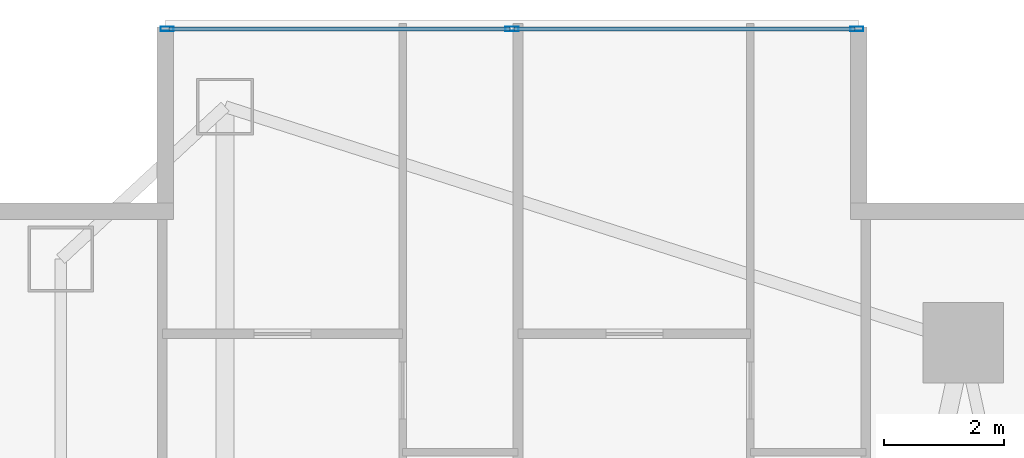
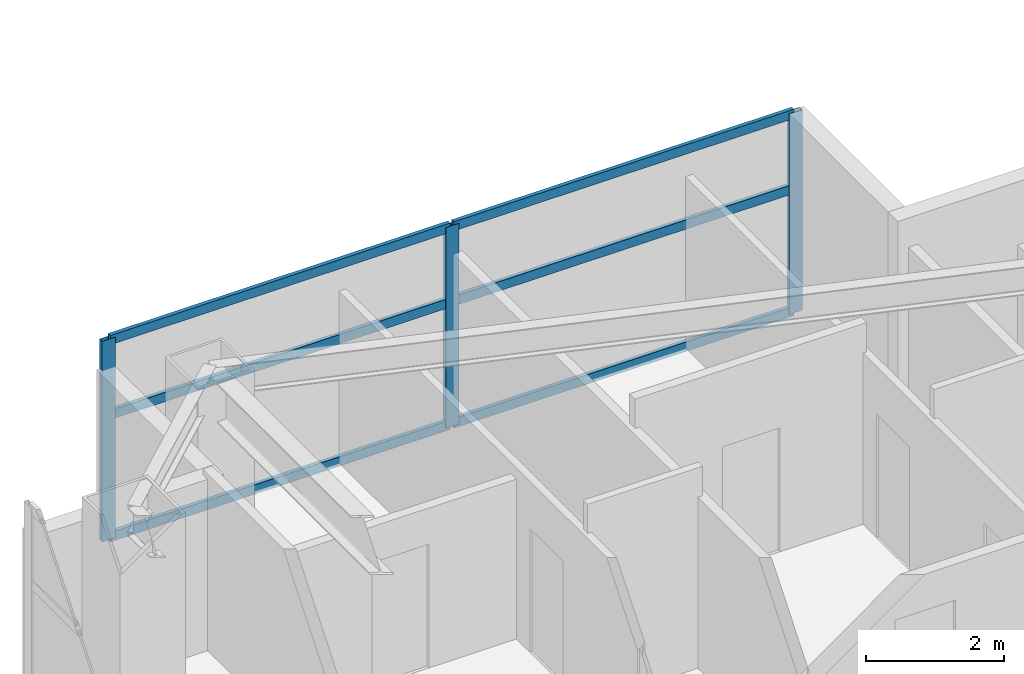
# One storey, part 19 of 29: 9 members, 1 element without a shape of its own.
"""IFC4 building model written with IfcOpenShell, lengths in metres."""

from ifc_helpers import new_model, si_unit, direction, frame, origin, origin_2d, place, context, subcontext, project, spatial, hollow_rectangle, extrude, material, layer, layer_set, material_profile, profile_set, type_object, element, aggregate, save


model = new_model("IFC4")

# Units and contexts
model_context = context("Model", 3, precision=1e-05, world=origin(), true_north=direction((0.0, 1.0)))
body_context = subcontext(model_context, "Body", "Model", "MODEL_VIEW")
ifc_project = project(units=[si_unit("LENGTHUNIT", "METRE"), si_unit("AREAUNIT", "SQUARE_METRE"), si_unit("VOLUMEUNIT", "CUBIC_METRE"), si_unit("PLANEANGLEUNIT", "RADIAN"), si_unit("MASSUNIT", "GRAM", prefix="KILO")], contexts=[model_context])

# Site, building, storey
site_placement = place(None, origin())
site = spatial("IfcSite", under=ifc_project, at=site_placement, CompositionType="ELEMENT")
building_placement = place(site_placement, origin())
building = spatial("IfcBuilding", under=site, at=building_placement, Name="Calvorn Quay Hotel", CompositionType="ELEMENT")
storey_placement = place(building_placement, frame((0.0, 0.0, 62.199951171875)))
storey = spatial("IfcBuildingStorey", under=building, at=storey_placement, Name="L14", CompositionType="ELEMENT", Elevation=62.199951171875)

# Curtain wall, members
ifc_material_1 = material(Name="Pale Anodised Aluminium and Low-E Glass", Category="aluminium")
ifc_layer = layer(ifc_material_1, 0.219970703125)
ifc_layer_set = layer_set([ifc_layer], Name="CW-SYS-Z1")
curtain_wall_type = type_object("IfcCurtainWallType", Name="CW-SYS-Z1", PredefinedType="NOTDEFINED", material=ifc_layer_set)
curtain_wall_placement = place(storey_placement, origin())
curtain_wall = element("IfcCurtainWall", 1, at=curtain_wall_placement, inside=storey, type_object=curtain_wall_type, Name="Inner Court Curtain Wall L14-N1", PredefinedType="NOTDEFINED")
ifc_material_2 = material(Name="Pale Anodised Aluminium 6063-T6", Category="aluminium")
ifc_material_profile_1 = material_profile(ifc_material_2, hollow_rectangle(XDim=0.074951171875, YDim=0.219970703125, WallThickness=0.00439453125, at=origin_2d()), Name="ALU-M220x75x4.5")
ifc_profile_set_1 = profile_set([ifc_material_profile_1], Name="Pale Anodised Aluminium 6063-T6")
member_type_1 = type_object("IfcMemberType", Name="CW-SYS-Z1-MUL", PredefinedType="MULLION", material=ifc_profile_set_1)
member_1_placement = place(storey_placement, frame((14.77001953125, 50.85009765625, 0.0), z_axis=(0.0, 0.0, 1.0), x_axis=(0.0, -1.0, 0.0)))
member_1 = element("IfcMember", 2, at=member_1_placement, type_object=member_type_1, Name="CW-L14-N1 mullion 1", PredefinedType="MULLION", context=body_context, shape_type="SweptSolid", body=[
    extrude(hollow_rectangle(XDim=0.074951171875, YDim=0.219970703125, WallThickness=0.00439453125, at=origin_2d()), origin(), (0.0, 0.0, 1.0), 3.56005859375),
])
member_2_placement = place(storey_placement, frame((9.0, 50.85009765625, 0.0), z_axis=(0.0, 0.0, 1.0), x_axis=(0.0, -1.0, 0.0)))
member_2 = element("IfcMember", 3, at=member_2_placement, type_object=member_type_1, Name="CW-L14-N1 mullion 2", PredefinedType="MULLION", context=body_context, shape_type="SweptSolid", body=[
    extrude(hollow_rectangle(XDim=0.074951171875, YDim=0.219970703125, WallThickness=0.00439453125, at=origin_2d()), origin(), (0.0, 0.0, 1.0), 3.56005859375),
])
member_3_placement = place(storey_placement, frame((3.22998046875, 50.85009765625, 0.0), z_axis=(0.0, 0.0, 1.0), x_axis=(0.0, -1.0, 0.0)))
member_3 = element("IfcMember", 4, at=member_3_placement, type_object=member_type_1, Name="CW-L14-N1 mullion 3", PredefinedType="MULLION", context=body_context, shape_type="SweptSolid", body=[
    extrude(hollow_rectangle(XDim=0.074951171875, YDim=0.219970703125, WallThickness=0.00439453125, at=origin_2d()), origin(), (0.0, 0.0, 1.0), 3.56005859375),
])
ifc_material_3 = material(Name="Pale Anodised Aluminium 6063-T6", Category="aluminium")
ifc_material_profile_2 = material_profile(ifc_material_3, hollow_rectangle(XDim=0.06494140625, YDim=0.1650390625, WallThickness=0.00341796875, at=origin_2d()), Name="ALU-T165x65x3.5")
ifc_profile_set_2 = profile_set([ifc_material_profile_2], Name="Pale Anodised Aluminium 6063-T6")
member_type_2 = type_object("IfcMemberType", Name="CW-SYS-Z1-TRN", PredefinedType="USERDEFINED", material=ifc_profile_set_2)
member_4_placement = place(storey_placement, frame((14.739990234375, 50.85009765625, 0.030029296875), z_axis=(-1.0, 0.0, 0.0), x_axis=(0.0, -1.0, 0.0)))
member_4 = element("IfcMember", 5, at=member_4_placement, type_object=member_type_2, Name="CW-L14-N1 transom 1.1", ObjectType="TRANSOM", PredefinedType="USERDEFINED", context=body_context, shape_type="SweptSolid", body=[
    extrude(hollow_rectangle(XDim=0.06494140625, YDim=0.1650390625, WallThickness=0.00341796875, at=origin_2d()), origin(), (0.0, 0.0, 1.0), 5.7099609375),
])
member_5_placement = place(storey_placement, frame((14.739990234375, 50.85009765625, 2.199951171875), z_axis=(-1.0, 0.0, 0.0), x_axis=(0.0, -1.0, 0.0)))
member_5 = element("IfcMember", 6, at=member_5_placement, type_object=member_type_2, Name="CW-L14-N1 transom 1.2", ObjectType="TRANSOM", PredefinedType="USERDEFINED", context=body_context, shape_type="SweptSolid", body=[
    extrude(hollow_rectangle(XDim=0.06494140625, YDim=0.1650390625, WallThickness=0.00341796875, at=origin_2d()), origin(), (0.0, 0.0, 1.0), 5.7099609375),
])
member_6_placement = place(storey_placement, frame((14.739990234375, 50.85009765625, 3.530029296875), z_axis=(-1.0, 0.0, 0.0), x_axis=(0.0, -1.0, 0.0)))
member_6 = element("IfcMember", 7, at=member_6_placement, type_object=member_type_2, Name="CW-L14-N1 transom 1.3", ObjectType="TRANSOM", PredefinedType="USERDEFINED", context=body_context, shape_type="SweptSolid", body=[
    extrude(hollow_rectangle(XDim=0.06494140625, YDim=0.1650390625, WallThickness=0.00341796875, at=origin_2d()), origin(), (0.0, 0.0, 1.0), 5.7099609375),
])
member_7_placement = place(storey_placement, frame((8.969970703125, 50.85009765625, 0.030029296875), z_axis=(-1.0, 0.0, 0.0), x_axis=(0.0, -1.0, 0.0)))
member_7 = element("IfcMember", 8, at=member_7_placement, type_object=member_type_2, Name="CW-L14-N1 transom 2.1", ObjectType="TRANSOM", PredefinedType="USERDEFINED", context=body_context, shape_type="SweptSolid", body=[
    extrude(hollow_rectangle(XDim=0.06494140625, YDim=0.1650390625, WallThickness=0.00341796875, at=origin_2d()), origin(), (0.0, 0.0, 1.0), 5.7099609375),
])
member_8_placement = place(storey_placement, frame((8.969970703125, 50.85009765625, 2.199951171875), z_axis=(-1.0, 0.0, 0.0), x_axis=(0.0, -1.0, 0.0)))
member_8 = element("IfcMember", 9, at=member_8_placement, type_object=member_type_2, Name="CW-L14-N1 transom 2.2", ObjectType="TRANSOM", PredefinedType="USERDEFINED", context=body_context, shape_type="SweptSolid", body=[
    extrude(hollow_rectangle(XDim=0.06494140625, YDim=0.1650390625, WallThickness=0.00341796875, at=origin_2d()), origin(), (0.0, 0.0, 1.0), 5.7099609375),
])
member_9_placement = place(storey_placement, frame((8.969970703125, 50.85009765625, 3.530029296875), z_axis=(-1.0, 0.0, 0.0), x_axis=(0.0, -1.0, 0.0)))
member_9 = element("IfcMember", 10, at=member_9_placement, type_object=member_type_2, Name="CW-L14-N1 transom 2.3", ObjectType="TRANSOM", PredefinedType="USERDEFINED", context=body_context, shape_type="SweptSolid", body=[
    extrude(hollow_rectangle(XDim=0.06494140625, YDim=0.1650390625, WallThickness=0.00341796875, at=origin_2d()), origin(), (0.0, 0.0, 1.0), 5.7099609375),
])
aggregate(curtain_wall, [member_1, member_2, member_3, member_4, member_5, member_6, member_7, member_8, member_9])

save(model, "model.ifc")
